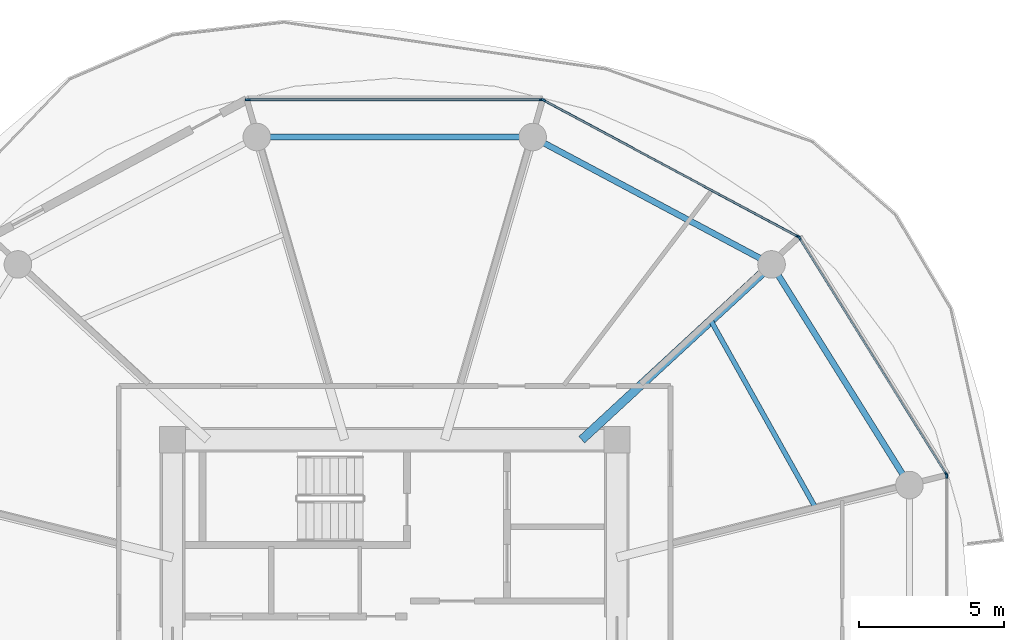
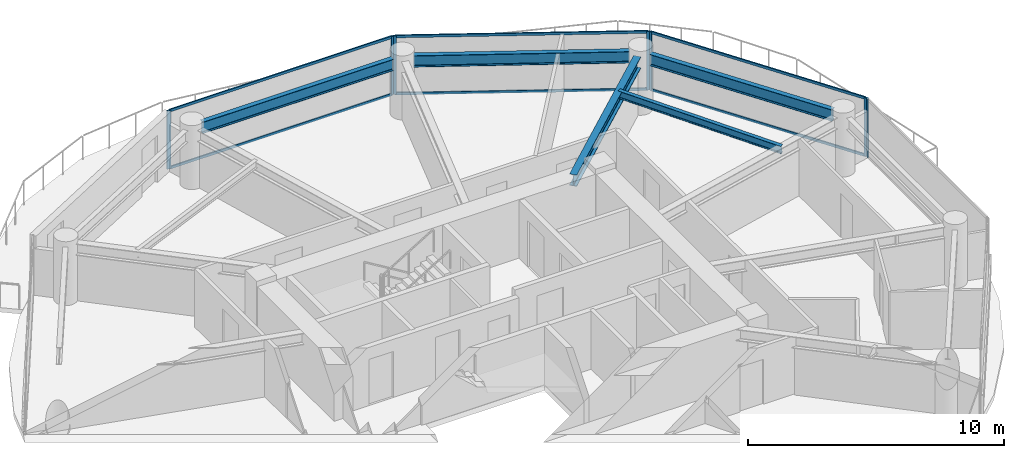
# One storey, part 13 of 26: 13 members, 5 beams, 4 elements without a shape of their own.
"""IFC4 building model written with IfcOpenShell, lengths in metres."""

from ifc_helpers import new_model, si_unit, direction, frame, origin, origin_2d, place, context, subcontext, project, spatial, rectangle, i_section, extrude, source, transform, mapped, material, layer, layer_set, material_profile, profile_set, type_object, type_shapes, element, aggregate, save


model = new_model("IFC4")

# Units and contexts
model_context = context("Model", 3, precision=1e-05, world=origin(), true_north=direction((0.0, 1.0)))
body_context = subcontext(model_context, "Body", "Model", "MODEL_VIEW")
ifc_project = project(units=[si_unit("LENGTHUNIT", "METRE"), si_unit("AREAUNIT", "SQUARE_METRE"), si_unit("VOLUMEUNIT", "CUBIC_METRE"), si_unit("PLANEANGLEUNIT", "RADIAN"), si_unit("MASSUNIT", "GRAM", prefix="KILO")], contexts=[model_context])

# Site, building, storey
site_placement = place(None, origin())
site = spatial("IfcSite", under=ifc_project, at=site_placement, CompositionType="ELEMENT")
building_placement = place(site_placement, origin())
building = spatial("IfcBuilding", under=site, at=building_placement, Name="Norrkilde Senior Care Towers", CompositionType="ELEMENT")
storey_placement = place(building_placement, frame((0.0, 0.0, 49.050048828125)))
storey = spatial("IfcBuildingStorey", under=building, at=storey_placement, Name="L14", CompositionType="ELEMENT", Elevation=49.050048828125)

# Beams
ifc_material_1 = material(Name="Steel S355", Category="steel")
ifc_material_profile_1 = material_profile(ifc_material_1, i_section(OverallWidth=0.2099609375, OverallDepth=0.550048828125, WebThickness=0.010986328125, FlangeThickness=0.01708984375, FilletRadius=0.02392578125, at=origin_2d()), Name="IPE 550")
ifc_profile_set_1 = profile_set([ifc_material_profile_1], Name="Steel S355")
beam_type_1 = type_object("IfcBeamType", Name="Perimeter Ring Spandrel Z1 IPE550", PredefinedType="SPANDREL", material=ifc_profile_set_1)
shared_shape_1 = source(origin(), body_context, "Body", "SweptSolid", [
    extrude(i_section(OverallWidth=0.2099609375, OverallDepth=0.550048828125, WebThickness=0.010986328125, FlangeThickness=0.01708984375, FilletRadius=0.02392578125, at=origin_2d()), origin(), (0.0, 0.0, 1.0), 8.090576171875),
])
beam_1_placement = place(storey_placement, frame((45.494140625, 4.755859375, 2.514892578125), z_axis=(-0.530004364821, 0.84799491347, 0.0), x_axis=(-0.84799491347, -0.530004364821, 0.0)))
element("IfcBeam", 1, at=beam_1_placement, inside=storey, type_object=beam_type_1, Name="L14 Drum E Perimeter Spandrel 01", PredefinedType="SPANDREL", context=body_context, shape_type="MappedRepresentation", body=[
    mapped(shared_shape_1, transform((0.0, 0.0, 0.0), x_axis=(1.0, 0.0, 0.0), y_axis=(0.0, 1.0, 0.0), z_axis=(0.0, 0.0, 1.0), scale=1.0)),
])
shared_shape_2 = source(origin(), body_context, "Body", "SweptSolid", [
    extrude(i_section(OverallWidth=0.2099609375, OverallDepth=0.550048828125, WebThickness=0.010986328125, FlangeThickness=0.01708984375, FilletRadius=0.02392578125, at=origin_2d()), origin(), (0.0, 0.0, 1.0), 8.452880859375),
])
beam_2_placement = place(storey_placement, frame((40.591552734375, 12.190185546875, 2.514892578125), z_axis=(-0.882368931134, 0.470558252898, 0.0), x_axis=(-0.470558252898, -0.882368931134, 0.0)))
element("IfcBeam", 2, at=beam_2_placement, inside=storey, type_object=beam_type_1, Name="L14 Drum E Perimeter Spandrel 02", PredefinedType="SPANDREL", context=body_context, shape_type="MappedRepresentation", body=[
    mapped(shared_shape_2, transform((0.0, 0.0, 0.0), x_axis=(1.0, 0.0, 0.0), y_axis=(0.0, 1.0, 0.0), z_axis=(0.0, 0.0, 1.0), scale=1.0)),
])
ifc_material_profile_2 = material_profile(ifc_material_1, i_section(OverallWidth=0.300048828125, OverallDepth=0.550048828125, WebThickness=0.014892578125, FlangeThickness=0.029052734375, FilletRadius=0.027099609375, at=origin_2d()), Name="HEB 550")
ifc_profile_set_2 = profile_set([ifc_material_profile_2], Name="Steel S355")
beam_type_2 = type_object("IfcBeamType", Name="Radial Floor Beam Z1 HEB550", PredefinedType="BEAM", material=ifc_profile_set_2)
shared_shape_3 = source(origin(), body_context, "Body", "SweptSolid", [
    extrude(i_section(OverallWidth=0.300048828125, OverallDepth=0.550048828125, WebThickness=0.014892578125, FlangeThickness=0.029052734375, FilletRadius=0.027099609375, at=origin_2d()), origin(), (0.0, 0.0, 1.0), 8.459716796875),
])
type_shapes(beam_type_2, [shared_shape_3])
beam_3_placement = place(storey_placement, frame((34.44140625, 5.949951171875, 2.514892578125), z_axis=(0.734573269108, 0.678529374686, 0.0), x_axis=(-0.678529374686, 0.734573269108, 0.0)))
element("IfcBeam", 3, at=beam_3_placement, inside=storey, type_object=beam_type_2, Name="L14 Drum E Radial Floor Beam 02", PredefinedType="BEAM", context=body_context, shape_type="MappedRepresentation", body=[
    mapped(shared_shape_3, transform((0.0, 0.0, 0.0), x_axis=(1.0, 0.0, 0.0), y_axis=(0.0, 1.0, 0.0), z_axis=(0.0, 0.0, 1.0), scale=1.0)),
])
shared_shape_4 = source(origin(), body_context, "Body", "SweptSolid", [
    extrude(i_section(OverallWidth=0.2099609375, OverallDepth=0.550048828125, WebThickness=0.010986328125, FlangeThickness=0.01708984375, FilletRadius=0.02392578125, at=origin_2d()), origin(), (0.0, 0.0, 1.0), 8.62841796875),
])
type_shapes(beam_type_1, [shared_shape_1, shared_shape_2, shared_shape_4])
beam_4_placement = place(storey_placement, frame((32.314208984375, 16.37255859375, 2.514892578125), z_axis=(-1.0, 0.0, 0.0), x_axis=(0.0, -1.0, 0.0)))
element("IfcBeam", 4, at=beam_4_placement, inside=storey, type_object=beam_type_1, Name="L14 Drum E Perimeter Spandrel 03", PredefinedType="SPANDREL", context=body_context, shape_type="MappedRepresentation", body=[
    mapped(shared_shape_4, transform((0.0, 0.0, 0.0), x_axis=(1.0, 0.0, 0.0), y_axis=(0.0, 1.0, 0.0), z_axis=(0.0, 0.0, 1.0), scale=1.0)),
])
ifc_material_profile_3 = material_profile(ifc_material_1, i_section(OverallWidth=0.169921875, OverallDepth=0.360107421875, WebThickness=0.008056640625, FlangeThickness=0.0126953125, FilletRadius=0.01806640625, at=origin_2d()), Name="IPE 360")
ifc_profile_set_3 = profile_set([ifc_material_profile_3], Name="Steel S355")
beam_type_3 = type_object("IfcBeamType", Name="Secondary Floor Joist IPE360", PredefinedType="JOIST", material=ifc_profile_set_3)
shared_shape_5 = source(origin(), body_context, "Body", "SweptSolid", [
    extrude(i_section(OverallWidth=0.169921875, OverallDepth=0.360107421875, WebThickness=0.008056640625, FlangeThickness=0.0126953125, FilletRadius=0.01806640625, at=origin_2d()), origin(), (0.0, 0.0, 1.0), 7.40771484375),
])
type_shapes(beam_type_3, [shared_shape_5])
beam_5_placement = place(storey_placement, frame((42.500732421875, 3.589111328125, 2.60986328125), z_axis=(-0.488167754092, 0.872749817453, 0.0), x_axis=(-0.872749817453, -0.488167754092, 0.0)))
element("IfcBeam", 5, at=beam_5_placement, inside=storey, type_object=beam_type_3, Name="L14 Drum E Secondary Floor Joist 1", PredefinedType="JOIST", context=body_context, shape_type="MappedRepresentation", body=[
    mapped(shared_shape_5, transform((0.0, 0.0, 0.0), x_axis=(1.0, 0.0, 0.0), y_axis=(0.0, 1.0, 0.0), z_axis=(0.0, 0.0, 1.0), scale=1.0)),
])

# Curtain wall, members
ifc_material_2 = material(Name="Triple Low-E Insulated Glazing", Category="glass")
ifc_layer = layer(ifc_material_2, 0.199951171875)
ifc_layer_set = layer_set([ifc_layer], Name="Triple Low-E Insulated Glazing")
curtain_wall_type = type_object("IfcCurtainWallType", Name="CW2 Zone 1 Memory Care Curtain Wall", PredefinedType="NOTDEFINED", material=ifc_layer_set)
curtain_wall_1_placement = place(storey_placement, origin())
curtain_wall_1 = element("IfcCurtainWall", 6, at=curtain_wall_1_placement, inside=storey, type_object=curtain_wall_type, Name="L14 Drum E Curtain Wall 00", PredefinedType="NOTDEFINED")
ifc_material_3 = material(Name="Anodised Aluminium", Category="aluminium")
ifc_material_profile_4 = material_profile(ifc_material_3, rectangle(XDim=0.06494140625, YDim=0.159912109375, at=origin_2d()), Name="ALU MULL 65x160")
ifc_profile_set_4 = profile_set([ifc_material_profile_4], Name="Anodised Aluminium")
member_type_1 = type_object("IfcMemberType", Name="Curtain Wall Mullion Z1-Z2 65x160", PredefinedType="MULLION", material=ifc_profile_set_4)
shared_shape_6 = source(origin(), body_context, "Body", "SweptSolid", [
    extrude(rectangle(XDim=0.06494140625, YDim=0.159912109375, at=origin_2d()), origin(), (0.0, 0.0, 1.0), 2.7900390625),
])
type_shapes(member_type_1, [shared_shape_6])
member_1_placement = place(storey_placement, frame((41.93310546875, 12.898193359375, 0.0), z_axis=(0.0, 0.0, 1.0), x_axis=(0.849305943117, 0.527900951871, 0.0)))
member_1 = element("IfcMember", 7, at=member_1_placement, type_object=member_type_1, Name="CW-2 mullion 1", PredefinedType="MULLION", context=body_context, shape_type="MappedRepresentation", body=[
    mapped(shared_shape_6, transform((0.0, 0.0, 0.0), x_axis=(1.0, 0.0, 0.0), y_axis=(0.0, 1.0, 0.0), z_axis=(0.0, 0.0, 1.0), scale=1.0)),
])
member_2_placement = place(storey_placement, frame((46.9921875, 4.7587890625, 0.0), z_axis=(0.0, 0.0, 1.0), x_axis=(0.849305943117, 0.527900951871, 0.0)))
member_2 = element("IfcMember", 8, at=member_2_placement, type_object=member_type_1, Name="CW-2 mullion 2", PredefinedType="MULLION", context=body_context, shape_type="MappedRepresentation", body=[
    mapped(shared_shape_6, transform((0.0, 0.0, 0.0), x_axis=(1.0, 0.0, 0.0), y_axis=(0.0, 1.0, 0.0), z_axis=(0.0, 0.0, 1.0), scale=1.0)),
])

curtain_wall_2_placement = place(storey_placement, origin())
curtain_wall_2 = element("IfcCurtainWall", 9, at=curtain_wall_2_placement, inside=storey, type_object=curtain_wall_type, Name="L14 Drum E Curtain Wall 01", PredefinedType="NOTDEFINED")
member_3_placement = place(storey_placement, frame((33.122314453125, 17.641845703125, 0.0), z_axis=(0.0, 0.0, 1.0), x_axis=(0.472607802456, 0.881272866403, 0.0)))
member_3 = element("IfcMember", 10, at=member_3_placement, type_object=member_type_1, Name="CW-2 mullion 1", PredefinedType="MULLION", context=body_context, shape_type="MappedRepresentation", body=[
    mapped(shared_shape_6, transform((0.0, 0.0, 0.0), x_axis=(1.0, 0.0, 0.0), y_axis=(0.0, 1.0, 0.0), z_axis=(0.0, 0.0, 1.0), scale=1.0)),
])
member_4_placement = place(storey_placement, frame((41.88720703125, 12.941162109375, 0.0), z_axis=(0.0, 0.0, 1.0), x_axis=(0.472607802456, 0.881272866403, 0.0)))
member_4 = element("IfcMember", 11, at=member_4_placement, type_object=member_type_1, Name="CW-2 mullion 2", PredefinedType="MULLION", context=body_context, shape_type="MappedRepresentation", body=[
    mapped(shared_shape_6, transform((0.0, 0.0, 0.0), x_axis=(1.0, 0.0, 0.0), y_axis=(0.0, 1.0, 0.0), z_axis=(0.0, 0.0, 1.0), scale=1.0)),
])

curtain_wall_3_placement = place(storey_placement, origin())
curtain_wall_3 = element("IfcCurtainWall", 12, at=curtain_wall_3_placement, inside=storey, type_object=curtain_wall_type, Name="L14 Drum E Curtain Wall 02", PredefinedType="NOTDEFINED")
member_5_placement = place(storey_placement, frame((22.93896484375, 17.6572265625, 0.0), z_axis=(0.0, 0.0, 1.0), x_axis=(0.0, 1.0, 0.0)))
member_5 = element("IfcMember", 13, at=member_5_placement, type_object=member_type_1, Name="CW-2 mullion 1", PredefinedType="MULLION", context=body_context, shape_type="MappedRepresentation", body=[
    mapped(shared_shape_6, transform((0.0, 0.0, 0.0), x_axis=(1.0, 0.0, 0.0), y_axis=(0.0, 1.0, 0.0), z_axis=(0.0, 0.0, 1.0), scale=1.0)),
])
member_6_placement = place(storey_placement, frame((33.06103515625, 17.6572265625, 0.0), z_axis=(0.0, 0.0, 1.0), x_axis=(0.0, 1.0, 0.0)))
member_6 = element("IfcMember", 14, at=member_6_placement, type_object=member_type_1, Name="CW-2 mullion 2", PredefinedType="MULLION", context=body_context, shape_type="MappedRepresentation", body=[
    mapped(shared_shape_6, transform((0.0, 0.0, 0.0), x_axis=(1.0, 0.0, 0.0), y_axis=(0.0, 1.0, 0.0), z_axis=(0.0, 0.0, 1.0), scale=1.0)),
])

# Curtain wall, member
curtain_wall_4_placement = place(storey_placement, origin())
curtain_wall_4 = element("IfcCurtainWall", 15, at=curtain_wall_4_placement, inside=storey, type_object=curtain_wall_type, Name="L14 Drum E Curtain Wall 11", PredefinedType="NOTDEFINED")
member_7_placement = place(storey_placement, frame((47.009521484375, 4.69873046875, 0.0), z_axis=(0.0, 0.0, 1.0), x_axis=(1.0, 0.0, 0.0)))
member_7 = element("IfcMember", 16, at=member_7_placement, type_object=member_type_1, Name="CW-2 mullion 1", PredefinedType="MULLION", context=body_context, shape_type="MappedRepresentation", body=[
    mapped(shared_shape_6, transform((0.0, 0.0, 0.0), x_axis=(1.0, 0.0, 0.0), y_axis=(0.0, 1.0, 0.0), z_axis=(0.0, 0.0, 1.0), scale=1.0)),
])
aggregate(curtain_wall_4, [member_7])

# Member
ifc_material_profile_5 = material_profile(ifc_material_3, rectangle(XDim=0.06005859375, YDim=0.1201171875, at=origin_2d()), Name="ALU TRAN 60x120")
ifc_profile_set_5 = profile_set([ifc_material_profile_5], Name="Anodised Aluminium")
member_type_2 = type_object("IfcMemberType", Name="Curtain Wall Transom Typical 60x120", PredefinedType="USERDEFINED", material=ifc_profile_set_5)
shared_shape_7 = source(origin(), body_context, "Body", "SweptSolid", [
    extrude(rectangle(XDim=0.06005859375, YDim=0.1201171875, at=origin_2d()), origin(), (0.0, 0.0, 1.0), 9.5185546875),
])
member_8_placement = place(storey_placement, frame((41.9501953125, 12.87060546875, 0.030029296875), z_axis=(0.527901620669, -0.849305527413, 0.0), x_axis=(0.849305527413, 0.527901620669, 0.0)))
member_8 = element("IfcMember", 17, at=member_8_placement, type_object=member_type_2, Name="CW-2 transom 1.1", ObjectType="TRANSOM", PredefinedType="USERDEFINED", context=body_context, shape_type="MappedRepresentation", body=[
    mapped(shared_shape_7, transform((0.0, 0.0, 0.0), x_axis=(1.0, 0.0, 0.0), y_axis=(0.0, 1.0, 0.0), z_axis=(0.0, 0.0, 1.0), scale=1.0)),
])

member_9_placement = place(storey_placement, frame((41.9501953125, 12.87060546875, 2.760009765625), z_axis=(0.527901620669, -0.849305527413, 0.0), x_axis=(0.849305527413, 0.527901620669, 0.0)))
member_9 = element("IfcMember", 18, at=member_9_placement, type_object=member_type_2, Name="CW-2 transom 1.2", ObjectType="TRANSOM", PredefinedType="USERDEFINED", context=body_context, shape_type="MappedRepresentation", body=[
    mapped(shared_shape_7, transform((0.0, 0.0, 0.0), x_axis=(1.0, 0.0, 0.0), y_axis=(0.0, 1.0, 0.0), z_axis=(0.0, 0.0, 1.0), scale=1.0)),
])

aggregate(curtain_wall_1, [member_1, member_2, member_8, member_9])

shared_shape_8 = source(origin(), body_context, "Body", "SweptSolid", [
    extrude(rectangle(XDim=0.06005859375, YDim=0.1201171875, at=origin_2d()), origin(), (0.0, 0.0, 1.0), 9.880859375),
])
member_10_placement = place(storey_placement, frame((33.15087890625, 17.62646484375, 0.030029296875), z_axis=(0.881267204043, -0.47261836092, 0.0), x_axis=(0.47261836092, 0.881267204043, 0.0)))
member_10 = element("IfcMember", 19, at=member_10_placement, type_object=member_type_2, Name="CW-2 transom 1.1", ObjectType="TRANSOM", PredefinedType="USERDEFINED", context=body_context, shape_type="MappedRepresentation", body=[
    mapped(shared_shape_8, transform((0.0, 0.0, 0.0), x_axis=(1.0, 0.0, 0.0), y_axis=(0.0, 1.0, 0.0), z_axis=(0.0, 0.0, 1.0), scale=1.0)),
])

member_11_placement = place(storey_placement, frame((33.15087890625, 17.62646484375, 2.760009765625), z_axis=(0.881267204043, -0.47261836092, 0.0), x_axis=(0.47261836092, 0.881267204043, 0.0)))
member_11 = element("IfcMember", 20, at=member_11_placement, type_object=member_type_2, Name="CW-2 transom 1.2", ObjectType="TRANSOM", PredefinedType="USERDEFINED", context=body_context, shape_type="MappedRepresentation", body=[
    mapped(shared_shape_8, transform((0.0, 0.0, 0.0), x_axis=(1.0, 0.0, 0.0), y_axis=(0.0, 1.0, 0.0), z_axis=(0.0, 0.0, 1.0), scale=1.0)),
])

aggregate(curtain_wall_2, [member_3, member_4, member_10, member_11])

shared_shape_9 = source(origin(), body_context, "Body", "SweptSolid", [
    extrude(rectangle(XDim=0.06005859375, YDim=0.1201171875, at=origin_2d()), origin(), (0.0, 0.0, 1.0), 10.05712890625),
])
type_shapes(member_type_2, [shared_shape_7, shared_shape_8, shared_shape_9])
member_12_placement = place(storey_placement, frame((22.971435546875, 17.6572265625, 0.030029296875), z_axis=(1.0, 0.0, 0.0), x_axis=(0.0, 1.0, 0.0)))
member_12 = element("IfcMember", 21, at=member_12_placement, type_object=member_type_2, Name="CW-2 transom 1.1", ObjectType="TRANSOM", PredefinedType="USERDEFINED", context=body_context, shape_type="MappedRepresentation", body=[
    mapped(shared_shape_9, transform((0.0, 0.0, 0.0), x_axis=(1.0, 0.0, 0.0), y_axis=(0.0, 1.0, 0.0), z_axis=(0.0, 0.0, 1.0), scale=1.0)),
])

member_13_placement = place(storey_placement, frame((22.971435546875, 17.6572265625, 2.760009765625), z_axis=(1.0, 0.0, 0.0), x_axis=(0.0, 1.0, 0.0)))
member_13 = element("IfcMember", 22, at=member_13_placement, type_object=member_type_2, Name="CW-2 transom 1.2", ObjectType="TRANSOM", PredefinedType="USERDEFINED", context=body_context, shape_type="MappedRepresentation", body=[
    mapped(shared_shape_9, transform((0.0, 0.0, 0.0), x_axis=(1.0, 0.0, 0.0), y_axis=(0.0, 1.0, 0.0), z_axis=(0.0, 0.0, 1.0), scale=1.0)),
])

aggregate(curtain_wall_3, [member_5, member_6, member_12, member_13])

save(model, "model.ifc")
